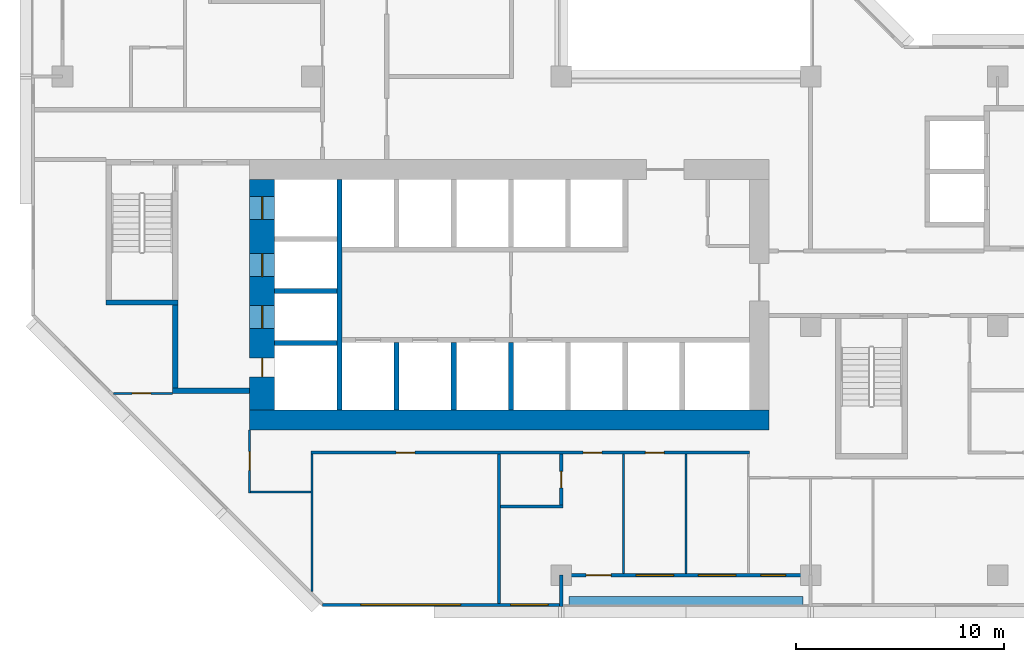
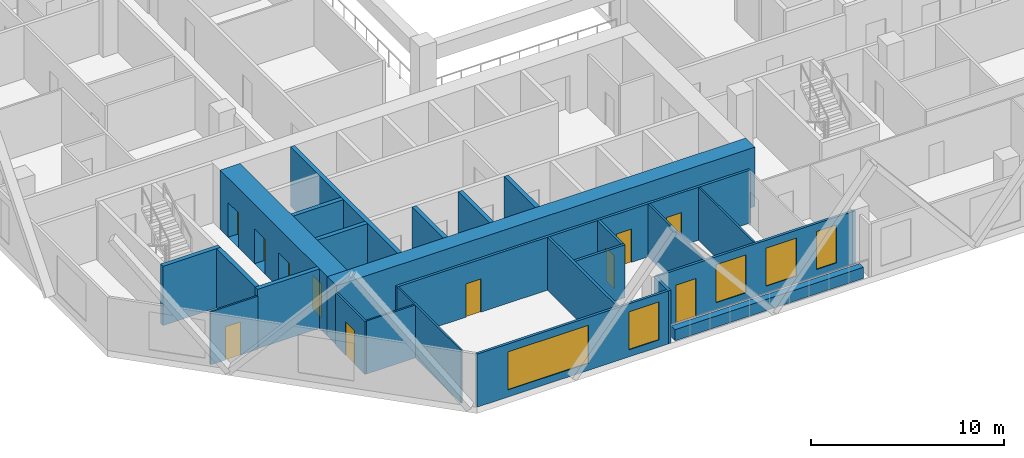
# One storey, part 4 of 15: 25 walls, 11 doors, 5 windows, 16 openings.
"""IFC4 building model written with IfcOpenShell, lengths in metres."""

from ifc_helpers import new_model, si_unit, direction, frame, frame_2d, origin, place, context, subcontext, project, spatial, rectangle, extrude, material, layer, layer_set, type_object, element, fill, save


model = new_model("IFC4")

# Units and contexts
model_context = context("Model", 3, precision=1e-05, world=origin(), true_north=direction((0.0, 1.0)))
body_context = subcontext(model_context, "Body", "Model", "MODEL_VIEW")
ifc_project = project(units=[si_unit("LENGTHUNIT", "METRE"), si_unit("AREAUNIT", "SQUARE_METRE"), si_unit("VOLUMEUNIT", "CUBIC_METRE"), si_unit("PLANEANGLEUNIT", "RADIAN"), si_unit("MASSUNIT", "GRAM", prefix="KILO")], contexts=[model_context])

# Site, building, storey
site_placement = place(None, origin())
site = spatial("IfcSite", under=ifc_project, at=site_placement, CompositionType="ELEMENT")
building_placement = place(site_placement, origin())
building = spatial("IfcBuilding", under=site, at=building_placement, Name="Chenar Terraces", CompositionType="ELEMENT")
storey_placement = place(building_placement, frame((0.0, 0.0, 121.89990234375)))
storey = spatial("IfcBuildingStorey", under=building, at=storey_placement, Name="L28", CompositionType="ELEMENT", Elevation=121.89990234375)

# Wall, openings, doors
ifc_material_1 = material(Name="Concrete C70/85", Category="concrete")
ifc_layer_1 = layer(ifc_material_1, 1.199951171875)
ifc_layer_set_1 = layer_set([ifc_layer_1], Name="Concrete C70/85")
wall_type_1 = type_object("IfcWallType", Name="Core wall 1200 Concrete C70/85", PredefinedType="SHEAR", material=ifc_layer_set_1)
wall_1_placement = place(storey_placement, frame((9.60009765625, 7.949951171875, 0.0), z_axis=(0.0, 0.0, 1.0), x_axis=(0.0, 1.0, 0.0)))
wall_1 = element("IfcWall", 1, at=wall_1_placement, inside=storey, type_object=wall_type_1, Name="Core wall W L28", PredefinedType="SHEAR", context=body_context, shape_type="SweptSolid", body=[
    extrude(rectangle(XDim=11.10009765625, YDim=1.199951171875, at=frame_2d((5.550048828125, 0.0))), origin(), (0.0, 0.0, 1.0), 3.75),
])
opening_1_placement = place(wall_1_placement, frame((3.925048828125, 0.0, 0.0)))
opening_1 = element("IfcOpeningElement", 2, at=opening_1_placement, cuts=wall_1, Name="Opening DL28-LD5", PredefinedType="OPENING", context=body_context, shape_type="SweptSolid", body=[
    extrude(rectangle(XDim=1.10009765625, YDim=2.199951171875, at=frame_2d((0.550048828125, 1.10009765625))), frame((0.0, 0.60986328125, 0.0), z_axis=(0.0, -1.0, 0.0), x_axis=(1.0, 0.0, 0.0)), (0.0, 0.0, 1.0), 1.219970703125),
])
opening_2_placement = place(wall_1_placement, frame((6.425048828125, 0.0, 0.0)))
opening_2 = element("IfcOpeningElement", 3, at=opening_2_placement, cuts=wall_1, Name="Opening DL28-LD6", PredefinedType="OPENING", context=body_context, shape_type="SweptSolid", body=[
    extrude(rectangle(XDim=1.10009765625, YDim=2.199951171875, at=frame_2d((0.550048828125, 1.10009765625))), frame((0.0, 0.60986328125, 0.0), z_axis=(0.0, -1.0, 0.0), x_axis=(1.0, 0.0, 0.0)), (0.0, 0.0, 1.0), 1.219970703125),
])
opening_3_placement = place(wall_1_placement, frame((9.175048828125, 0.0, 0.0)))
opening_3 = element("IfcOpeningElement", 4, at=opening_3_placement, cuts=wall_1, Name="Opening DL28-LD7", PredefinedType="OPENING", context=body_context, shape_type="SweptSolid", body=[
    extrude(rectangle(XDim=1.10009765625, YDim=2.199951171875, at=frame_2d((0.550048828125, 1.10009765625))), frame((0.0, 0.60986328125, 0.0), z_axis=(0.0, -1.0, 0.0), x_axis=(1.0, 0.0, 0.0)), (0.0, 0.0, 1.0), 1.219970703125),
])
opening_4_placement = place(wall_1_placement, frame((1.60009765625, 0.0, 0.0)))
opening_4 = element("IfcOpeningElement", 5, at=opening_4_placement, cuts=wall_1, Name="Opening DL28-C4", PredefinedType="OPENING", context=body_context, shape_type="SweptSolid", body=[
    extrude(rectangle(XDim=0.89990234375, YDim=2.10009765625, at=frame_2d((0.449951171875, 1.050048828125))), frame((0.0, 0.60986328125, 0.0), z_axis=(0.0, -1.0, 0.0), x_axis=(1.0, 0.0, 0.0)), (0.0, 0.0, 1.0), 1.219970703125),
])
ifc_material_2 = material(Name="Stainless steel", Category="steel")
door_type_1 = type_object("IfcDoorType", Name="Lift landing door 1100 x 2200 sliding", OperationType="DOUBLE_DOOR_SLIDING", PredefinedType="DOOR", material=ifc_material_2)
door_1_placement = place(opening_1_placement, origin())
door_1 = element("IfcDoor", 6, at=door_1_placement, inside=storey, type_object=door_type_1, Name="Landing door S1", OperationType="DOUBLE_DOOR_SLIDING", OverallHeight=2.199951171875, OverallWidth=1.10009765625, PredefinedType="DOOR", context=body_context, shape_type="SweptSolid", body=[
    extrude(rectangle(XDim=1.10009765625, YDim=2.199951171875, at=frame_2d((0.550048828125, 1.10009765625))), frame((0.0, 0.02490234375, 0.0), z_axis=(0.0, -1.0, 0.0), x_axis=(1.0, 0.0, 0.0)), (0.0, 0.0, 1.0), 0.050048828125),
])
fill(opening_1, door_1)
door_2_placement = place(opening_2_placement, origin())
door_2 = element("IfcDoor", 7, at=door_2_placement, inside=storey, type_object=door_type_1, Name="Landing door F1", OperationType="DOUBLE_DOOR_SLIDING", OverallHeight=2.199951171875, OverallWidth=1.10009765625, PredefinedType="DOOR", context=body_context, shape_type="SweptSolid", body=[
    extrude(rectangle(XDim=1.10009765625, YDim=2.199951171875, at=frame_2d((0.550048828125, 1.10009765625))), frame((0.0, 0.02490234375, 0.0), z_axis=(0.0, -1.0, 0.0), x_axis=(1.0, 0.0, 0.0)), (0.0, 0.0, 1.0), 0.050048828125),
])
fill(opening_2, door_2)
door_3_placement = place(opening_3_placement, origin())
door_3 = element("IfcDoor", 8, at=door_3_placement, inside=storey, type_object=door_type_1, Name="Landing door F2", OperationType="DOUBLE_DOOR_SLIDING", OverallHeight=2.199951171875, OverallWidth=1.10009765625, PredefinedType="DOOR", context=body_context, shape_type="SweptSolid", body=[
    extrude(rectangle(XDim=1.10009765625, YDim=2.199951171875, at=frame_2d((0.550048828125, 1.10009765625))), frame((0.0, 0.02490234375, 0.0), z_axis=(0.0, -1.0, 0.0), x_axis=(1.0, 0.0, 0.0)), (0.0, 0.0, 1.0), 0.050048828125),
])
fill(opening_3, door_3)
ifc_material_3 = material(Name="Steel-framed fire-resisting door leaf", Category="steel")
door_type_2 = type_object("IfcDoorType", Name="Riser fire door FD60 900 x 2100", OperationType="SINGLE_SWING_LEFT", PredefinedType="DOOR", material=ifc_material_3)
door_4_placement = place(opening_4_placement, frame((0.89990234375, 0.0, 0.0), z_axis=(0.0, 0.0, 1.0), x_axis=(-1.0, 0.0, 0.0)))
door_4 = element("IfcDoor", 9, at=door_4_placement, inside=storey, type_object=door_type_2, Name="Riser door DL28-C4", OperationType="SINGLE_SWING_LEFT", OverallHeight=2.10009765625, OverallWidth=0.89990234375, PredefinedType="DOOR", context=body_context, shape_type="SweptSolid", body=[
    extrude(rectangle(XDim=0.89990234375, YDim=2.10009765625, at=frame_2d((0.449951171875, 1.050048828125))), frame((0.0, 0.02490234375, 0.0), z_axis=(0.0, -1.0, 0.0), x_axis=(1.0, 0.0, 0.0)), (0.0, 0.0, 1.0), 0.050048828125),
])
fill(opening_4, door_4)

# Walls
ifc_material_4 = material(Name="Concrete C70/85", Category="concrete")
ifc_layer_2 = layer(ifc_material_4, 0.25)
ifc_layer_set_2 = layer_set([ifc_layer_2], Name="Concrete C70/85")
wall_type_2 = type_object("IfcWallType", Name="Core wall 250 Concrete C70/85", PredefinedType="SHEAR", material=ifc_layer_set_2)
wall_2_placement = place(storey_placement, frame((13.324951171875, 7.949951171875, 0.0), z_axis=(0.0, 0.0, 1.0), x_axis=(0.0, 1.0, 0.0)))
element("IfcWall", 10, at=wall_2_placement, inside=storey, type_object=wall_type_2, Name="Core wall WI L28", PredefinedType="SHEAR", context=body_context, shape_type="SweptSolid", body=[
    extrude(rectangle(XDim=11.10009765625, YDim=0.25, at=frame_2d((5.550048828125, 0.0))), origin(), (0.0, 0.0, 1.0), 3.75),
])
for number, where, z_axis, x_axis, name in (
    (11, (10.199951171875, 11.175048828125, 0.0), (0.0, 0.0, 1.0), (1.0, 0.0, 0.0), "Core wall HW0 L28"),
    (12, (10.199951171875, 13.675048828125, 0.0), (0.0, 0.0, 1.0), (1.0, 0.0, 0.0), "Core wall HW1 L28"),
):
    element("IfcWall", number, at=place(storey_placement, frame(where, z_axis=z_axis, x_axis=x_axis)), inside=storey, type_object=wall_type_2, Name=name, PredefinedType="SHEAR", context=body_context, shape_type="SweptSolid", body=[
        extrude(rectangle(XDim=3.0, YDim=0.25, at=frame_2d((1.5, 0.0))), origin(), (0.0, 0.0, 1.0), 3.75),
    ])
for number, where, z_axis, x_axis, name in (
    (13, (16.074951171875, 7.949951171875, 0.0), (0.0, 0.0, 1.0), (0.0, 1.0, 0.0), "Core wall SS0 L28"),
    (14, (18.824951171875, 7.949951171875, 0.0), (0.0, 0.0, 1.0), (0.0, 1.0, 0.0), "Core wall SS1 L28"),
    (15, (21.574951171875, 7.949951171875, 0.0), (0.0, 0.0, 1.0), (0.0, 1.0, 0.0), "Core wall SS2 L28"),
):
    element("IfcWall", number, at=place(storey_placement, frame(where, z_axis=z_axis, x_axis=x_axis)), inside=storey, type_object=wall_type_2, Name=name, PredefinedType="SHEAR", context=body_context, shape_type="SweptSolid", body=[
        extrude(rectangle(XDim=3.25, YDim=0.25, at=frame_2d((1.625, 0.0))), origin(), (0.0, 0.0, 1.0), 3.75),
    ])
wall_3_placement = place(storey_placement, frame((2.10009765625, 13.125, 0.0), z_axis=(0.0, 0.0, 1.0), x_axis=(1.0, 0.0, 0.0)))
element("IfcWall", 16, at=wall_3_placement, inside=storey, type_object=wall_type_2, Name="Core wall ST1_S L28", PredefinedType="SHEAR", context=body_context, shape_type="SweptSolid", body=[
    extrude(rectangle(XDim=3.449951171875, YDim=0.25, at=frame_2d((1.72509765625, 0.0))), origin(), (0.0, 0.0, 1.0), 3.75),
])
wall_4_placement = place(storey_placement, frame((5.300048828125, 8.875, 0.0), z_axis=(0.0, 0.0, 1.0), x_axis=(1.0, 0.0, 0.0)))
element("IfcWall", 17, at=wall_4_placement, inside=storey, type_object=wall_type_2, Name="Core wall FFL_S L28", PredefinedType="SHEAR", context=body_context, shape_type="SweptSolid", body=[
    extrude(rectangle(XDim=3.699951171875, YDim=0.25, at=frame_2d((1.85009765625, 0.0))), origin(), (0.0, 0.0, 1.0), 3.75),
])
wall_5_placement = place(storey_placement, frame((5.425048828125, 9.0, 0.0), z_axis=(0.0, 0.0, 1.0), x_axis=(0.0, 1.0, 0.0)))
element("IfcWall", 18, at=wall_5_placement, inside=storey, type_object=wall_type_2, Name="Core wall FFL_W L28", PredefinedType="SHEAR", context=body_context, shape_type="SweptSolid", body=[
    extrude(rectangle(XDim=4.0, YDim=0.25, at=frame_2d((2.0, 0.0))), origin(), (0.0, 0.0, 1.0), 3.75),
])
ifc_material_5 = material(Name="Concrete C70/85", Category="concrete")
ifc_layer_3 = layer(ifc_material_5, 0.949951171875)
ifc_layer_set_3 = layer_set([ifc_layer_3], Name="Concrete C70/85")
wall_type_3 = type_object("IfcWallType", Name="Core wall 950 Concrete C70/85", PredefinedType="SHEAR", material=ifc_layer_set_3)
wall_6_placement = place(storey_placement, frame((9.0, 7.47509765625, 0.0), z_axis=(0.0, 0.0, 1.0), x_axis=(1.0, 0.0, 0.0)))
element("IfcWall", 19, at=wall_6_placement, inside=storey, type_object=wall_type_3, Name="Core wall S L28", PredefinedType="SHEAR", context=body_context, shape_type="SweptSolid", body=[
    extrude(rectangle(XDim=25.0, YDim=0.949951171875, at=frame_2d((12.5, 0.0))), origin(), (0.0, 0.0, 1.0), 3.75),
])

# Wall, openings, windows
ifc_material_6 = material(Name="Aluminium framed glazing", Category="aluminium")
ifc_layer_4 = layer(ifc_material_6, 0.14990234375)
ifc_layer_set_4 = layer_set([ifc_layer_4], Name="Aluminium framed glazing")
wall_type_4 = type_object("IfcWallType", Name="Glazed flush facade wall 150", PredefinedType="SOLIDWALL", material=ifc_layer_set_4)
wall_7_placement = place(storey_placement, frame((12.5, -1.425048828125, 0.0), z_axis=(0.0, 0.0, 1.0), x_axis=(1.0, 0.0, 0.0)))
wall_7 = element("IfcWall", 20, at=wall_7_placement, inside=storey, type_object=wall_type_4, Name="Glazed flush facade wall", PredefinedType="SOLIDWALL", context=body_context, shape_type="SweptSolid", body=[
    extrude(rectangle(XDim=11.425048828125, YDim=0.14990234375, at=frame_2d((5.71240234375, 0.0))), origin(), (0.0, 0.0, 1.0), 3.35009765625),
])
opening_5_placement = place(wall_7_placement, frame((1.85009765625, 0.0, 0.449951171875)))
opening_5 = element("IfcOpeningElement", 21, at=opening_5_placement, cuts=wall_7, Name="Opening W480x240", PredefinedType="OPENING", context=body_context, shape_type="SweptSolid", body=[
    extrude(rectangle(XDim=4.800048828125, YDim=2.39990234375, at=frame_2d((2.39990234375, 1.199951171875))), frame((0.0, 0.0849609375, 0.0), z_axis=(0.0, -1.0, 0.0), x_axis=(1.0, 0.0, 0.0)), (0.0, 0.0, 1.0), 0.169921875),
])
opening_6_placement = place(wall_7_placement, frame((9.0625, 0.0, 0.449951171875)))
opening_6 = element("IfcOpeningElement", 22, at=opening_6_placement, cuts=wall_7, Name="Opening W180x240", PredefinedType="OPENING", context=body_context, shape_type="SweptSolid", body=[
    extrude(rectangle(XDim=1.800048828125, YDim=2.39990234375, at=frame_2d((0.89990234375, 1.199951171875))), frame((0.0, 0.0849609375, 0.0), z_axis=(0.0, -1.0, 0.0), x_axis=(1.0, 0.0, 0.0)), (0.0, 0.0, 1.0), 0.169921875),
])
ifc_material_7 = material(Name="Low emissivity double glazing, aluminium frame", Category="aluminium")
window_type_1 = type_object("IfcWindowType", Name="Fixed light 1800 x 2400", PartitioningType="SINGLE_PANEL", PredefinedType="WINDOW", material=ifc_material_7)
window_1_placement = place(opening_6_placement, origin())
window_1 = element("IfcWindow", 23, at=window_1_placement, inside=storey, type_object=window_type_1, Name="Window", OverallHeight=2.39990234375, OverallWidth=1.800048828125, PartitioningType="SINGLE_PANEL", PredefinedType="WINDOW", context=body_context, shape_type="SweptSolid", body=[
    extrude(rectangle(XDim=1.800048828125, YDim=2.39990234375, at=frame_2d((0.89990234375, 1.199951171875))), frame((0.0, 0.030029296875, 0.0), z_axis=(0.0, -1.0, 0.0), x_axis=(1.0, 0.0, 0.0)), (0.0, 0.0, 1.0), 0.06005859375),
])
fill(opening_6, window_1)
ifc_material_8 = material(Name="Low emissivity double glazing, aluminium frame", Category="aluminium")
window_type_2 = type_object("IfcWindowType", Name="Fixed light 4800 x 2400", PartitioningType="SINGLE_PANEL", PredefinedType="WINDOW", material=ifc_material_8)
window_2_placement = place(opening_5_placement, origin())
window_2 = element("IfcWindow", 24, at=window_2_placement, inside=storey, type_object=window_type_2, Name="Window", OverallHeight=2.39990234375, OverallWidth=4.800048828125, PartitioningType="SINGLE_PANEL", PredefinedType="WINDOW", context=body_context, shape_type="SweptSolid", body=[
    extrude(rectangle(XDim=4.800048828125, YDim=2.39990234375, at=frame_2d((2.39990234375, 1.199951171875))), frame((0.0, 0.030029296875, 0.0), z_axis=(0.0, -1.0, 0.0), x_axis=(1.0, 0.0, 0.0)), (0.0, 0.0, 1.0), 0.06005859375),
])
fill(opening_5, window_2)

# Wall, openings, windows, door
ifc_material_9 = material(Name="Aluminium framed glazing", Category="aluminium")
ifc_layer_5 = layer(ifc_material_9, 0.14990234375)
ifc_layer_set_5 = layer_set([ifc_layer_5], Name="Aluminium framed glazing")
wall_type_5 = type_object("IfcWallType", Name="Glazed loggia back wall 150", PredefinedType="SOLIDWALL", material=ifc_layer_set_5)
wall_8_placement = place(storey_placement, frame((24.074951171875, 0.0, 0.0), z_axis=(0.0, 0.0, 1.0), x_axis=(1.0, 0.0, 0.0)))
wall_8 = element("IfcWall", 25, at=wall_8_placement, inside=storey, type_object=wall_type_5, Name="Glazed loggia back wall", PredefinedType="SOLIDWALL", context=body_context, shape_type="SweptSolid", body=[
    extrude(rectangle(XDim=11.85009765625, YDim=0.14990234375, at=frame_2d((5.925048828125, 0.0))), origin(), (0.0, 0.0, 1.0), 3.35009765625),
])
opening_7_placement = place(wall_8_placement, frame((1.125, 0.0, 0.0)))
opening_7 = element("IfcOpeningElement", 26, at=opening_7_placement, cuts=wall_8, Name="Opening DL28-G6", PredefinedType="OPENING", context=body_context, shape_type="SweptSolid", body=[
    extrude(rectangle(XDim=1.199951171875, YDim=2.39990234375, at=frame_2d((0.60009765625, 1.199951171875))), frame((0.0, 0.0849609375, 0.0), z_axis=(0.0, -1.0, 0.0), x_axis=(1.0, 0.0, 0.0)), (0.0, 0.0, 1.0), 0.169921875),
])
opening_8_placement = place(wall_8_placement, frame((3.52490234375, 0.0, 0.449951171875)))
opening_8 = element("IfcOpeningElement", 27, at=opening_8_placement, cuts=wall_8, Name="Opening W180x240", PredefinedType="OPENING", context=body_context, shape_type="SweptSolid", body=[
    extrude(rectangle(XDim=1.800048828125, YDim=2.39990234375, at=frame_2d((0.89990234375, 1.199951171875))), frame((0.0, 0.0849609375, 0.0), z_axis=(0.0, -1.0, 0.0), x_axis=(1.0, 0.0, 0.0)), (0.0, 0.0, 1.0), 0.169921875),
])
opening_9_placement = place(wall_8_placement, frame((6.52490234375, 0.0, 0.449951171875)))
opening_9 = element("IfcOpeningElement", 28, at=opening_9_placement, cuts=wall_8, Name="Opening W180x240", PredefinedType="OPENING", context=body_context, shape_type="SweptSolid", body=[
    extrude(rectangle(XDim=1.800048828125, YDim=2.39990234375, at=frame_2d((0.89990234375, 1.199951171875))), frame((0.0, 0.0849609375, 0.0), z_axis=(0.0, -1.0, 0.0), x_axis=(1.0, 0.0, 0.0)), (0.0, 0.0, 1.0), 0.169921875),
])
opening_10_placement = place(wall_8_placement, frame((9.52490234375, 0.0, 0.449951171875)))
opening_10 = element("IfcOpeningElement", 29, at=opening_10_placement, cuts=wall_8, Name="Opening W120x240", PredefinedType="OPENING", context=body_context, shape_type="SweptSolid", body=[
    extrude(rectangle(XDim=1.199951171875, YDim=2.39990234375, at=frame_2d((0.60009765625, 1.199951171875))), frame((0.0, 0.0849609375, 0.0), z_axis=(0.0, -1.0, 0.0), x_axis=(1.0, 0.0, 0.0)), (0.0, 0.0, 1.0), 0.169921875),
])
ifc_material_10 = material(Name="Low emissivity double glazing, aluminium frame", Category="aluminium")
window_type_3 = type_object("IfcWindowType", Name="Fixed light 1200 x 2400", PartitioningType="SINGLE_PANEL", PredefinedType="WINDOW", material=ifc_material_10)
window_3_placement = place(opening_10_placement, origin())
window_3 = element("IfcWindow", 30, at=window_3_placement, inside=storey, type_object=window_type_3, Name="Window", OverallHeight=2.39990234375, OverallWidth=1.199951171875, PartitioningType="SINGLE_PANEL", PredefinedType="WINDOW", context=body_context, shape_type="SweptSolid", body=[
    extrude(rectangle(XDim=1.199951171875, YDim=2.39990234375, at=frame_2d((0.60009765625, 1.199951171875))), frame((0.0, 0.030029296875, 0.0), z_axis=(0.0, -1.0, 0.0), x_axis=(1.0, 0.0, 0.0)), (0.0, 0.0, 1.0), 0.06005859375),
])
fill(opening_10, window_3)
window_4_placement = place(opening_8_placement, origin())
window_4 = element("IfcWindow", 31, at=window_4_placement, inside=storey, type_object=window_type_1, Name="Window", OverallHeight=2.39990234375, OverallWidth=1.800048828125, PartitioningType="SINGLE_PANEL", PredefinedType="WINDOW", context=body_context, shape_type="SweptSolid", body=[
    extrude(rectangle(XDim=1.800048828125, YDim=2.39990234375, at=frame_2d((0.89990234375, 1.199951171875))), frame((0.0, 0.030029296875, 0.0), z_axis=(0.0, -1.0, 0.0), x_axis=(1.0, 0.0, 0.0)), (0.0, 0.0, 1.0), 0.06005859375),
])
fill(opening_8, window_4)
window_5_placement = place(opening_9_placement, origin())
window_5 = element("IfcWindow", 32, at=window_5_placement, inside=storey, type_object=window_type_1, Name="Window", OverallHeight=2.39990234375, OverallWidth=1.800048828125, PartitioningType="SINGLE_PANEL", PredefinedType="WINDOW", context=body_context, shape_type="SweptSolid", body=[
    extrude(rectangle(XDim=1.800048828125, YDim=2.39990234375, at=frame_2d((0.89990234375, 1.199951171875))), frame((0.0, 0.030029296875, 0.0), z_axis=(0.0, -1.0, 0.0), x_axis=(1.0, 0.0, 0.0)), (0.0, 0.0, 1.0), 0.06005859375),
])
fill(opening_9, window_5)
ifc_material_11 = material(Name="Low emissivity double glazing, aluminium frame", Category="aluminium")
door_type_3 = type_object("IfcDoorType", Name="Loggia glazed double door 1200 x 2400", OperationType="DOUBLE_DOOR_SINGLE_SWING", PredefinedType="DOOR", material=ifc_material_11)
door_5_placement = place(opening_7_placement, frame((1.199951171875, 0.0, 0.0), z_axis=(0.0, 0.0, 1.0), x_axis=(-1.0, 0.0, 0.0)))
door_5 = element("IfcDoor", 33, at=door_5_placement, inside=storey, type_object=door_type_3, Name="Loggia glazed door", OperationType="DOUBLE_DOOR_SINGLE_SWING", OverallHeight=2.39990234375, OverallWidth=1.199951171875, PredefinedType="DOOR", context=body_context, shape_type="SweptSolid", body=[
    extrude(rectangle(XDim=1.199951171875, YDim=2.39990234375, at=frame_2d((0.60009765625, 1.199951171875))), frame((0.0, 0.02490234375, 0.0), z_axis=(0.0, -1.0, 0.0), x_axis=(1.0, 0.0, 0.0)), (0.0, 0.0, 1.0), 0.050048828125),
])
fill(opening_7, door_5)

# Wall, opening, door
ifc_material_12 = material(Name="Gypsum board on steel studs", Category="steel")
ifc_layer_6 = layer(ifc_material_12, 0.10009765625)
ifc_layer_set_6 = layer_set([ifc_layer_6], Name="Gypsum board on steel studs")
wall_type_6 = type_object("IfcWallType", Name="Gypsum partition 100", PredefinedType="PARTITIONING", material=ifc_layer_set_6)
wall_9_placement = place(storey_placement, frame((2.4609375, 8.75, 0.0), z_axis=(0.0, 0.0, 1.0), x_axis=(1.0, 0.0, 0.0)))
wall_9 = element("IfcWall", 34, at=wall_9_placement, inside=storey, type_object=wall_type_6, Name="Partition L28-011", PredefinedType="PARTITIONING", context=body_context, shape_type="SweptSolid", body=[
    extrude(rectangle(XDim=2.839111328125, YDim=0.10009765625, at=frame_2d((1.41943359375, 0.0))), origin(), (0.0, 0.0, 1.0), 3.35009765625),
])
opening_11_placement = place(wall_9_placement, frame((0.888916015625, 0.0, 0.0)))
opening_11 = element("IfcOpeningElement", 35, at=opening_11_placement, cuts=wall_9, Name="Opening DL28-62", PredefinedType="OPENING", context=body_context, shape_type="SweptSolid", body=[
    extrude(rectangle(XDim=0.89990234375, YDim=2.10009765625, at=frame_2d((0.449951171875, 1.050048828125))), frame((0.0, 0.06005859375, 0.0), z_axis=(0.0, -1.0, 0.0), x_axis=(1.0, 0.0, 0.0)), (0.0, 0.0, 1.0), 0.1201171875),
])
ifc_material_13 = material(Name="Veneered timber door leaf", Category="wood")
door_type_4 = type_object("IfcDoorType", Name="Door 900 x 2100", OperationType="SINGLE_SWING_LEFT", PredefinedType="DOOR", material=ifc_material_13)
door_6_placement = place(opening_11_placement, frame((0.89990234375, 0.0, 0.0), z_axis=(0.0, 0.0, 1.0), x_axis=(-1.0, 0.0, 0.0)))
door_6 = element("IfcDoor", 36, at=door_6_placement, inside=storey, type_object=door_type_4, Name="Door DL28-62", OperationType="SINGLE_SWING_RIGHT", OverallHeight=2.10009765625, OverallWidth=0.89990234375, PredefinedType="DOOR", context=body_context, shape_type="SweptSolid", body=[
    extrude(rectangle(XDim=0.89990234375, YDim=2.10009765625, at=frame_2d((0.449951171875, 1.050048828125))), frame((0.0, 0.02490234375, 0.0), z_axis=(0.0, -1.0, 0.0), x_axis=(1.0, 0.0, 0.0)), (0.0, 0.0, 1.0), 0.050048828125),
])
fill(opening_11, door_6)

wall_10_placement = place(storey_placement, frame((9.0, 3.949951171875, 0.0), z_axis=(0.0, 0.0, 1.0), x_axis=(0.0, 1.0, 0.0)))
wall_10 = element("IfcWall", 37, at=wall_10_placement, inside=storey, type_object=wall_type_6, Name="Partition L28-032", PredefinedType="PARTITIONING", context=body_context, shape_type="SweptSolid", body=[
    extrude(rectangle(XDim=3.050048828125, YDim=0.10009765625, at=frame_2d((1.52490234375, 0.0))), origin(), (0.0, 0.0, 1.0), 3.35009765625),
])
opening_12_placement = place(wall_10_placement, frame((1.10009765625, 0.0, 0.0)))
opening_12 = element("IfcOpeningElement", 38, at=opening_12_placement, cuts=wall_10, Name="Opening DL28-61", PredefinedType="OPENING", context=body_context, shape_type="SweptSolid", body=[
    extrude(rectangle(XDim=0.89990234375, YDim=2.10009765625, at=frame_2d((0.449951171875, 1.050048828125))), frame((0.0, 0.06005859375, 0.0), z_axis=(0.0, -1.0, 0.0), x_axis=(1.0, 0.0, 0.0)), (0.0, 0.0, 1.0), 0.1201171875),
])
door_7_placement = place(opening_12_placement, origin())
door_7 = element("IfcDoor", 39, at=door_7_placement, inside=storey, type_object=door_type_4, Name="Door DL28-61", OperationType="SINGLE_SWING_LEFT", OverallHeight=2.10009765625, OverallWidth=0.89990234375, PredefinedType="DOOR", context=body_context, shape_type="SweptSolid", body=[
    extrude(rectangle(XDim=0.89990234375, YDim=2.10009765625, at=frame_2d((0.449951171875, 1.050048828125))), frame((0.0, 0.02490234375, 0.0), z_axis=(0.0, -1.0, 0.0), x_axis=(1.0, 0.0, 0.0)), (0.0, 0.0, 1.0), 0.050048828125),
])
fill(opening_12, door_7)

# Walls
wall_11_placement = place(storey_placement, frame((9.050048828125, 4.0, 0.0), z_axis=(0.0, 0.0, 1.0), x_axis=(1.0, 0.0, 0.0)))
element("IfcWall", 40, at=wall_11_placement, inside=storey, type_object=wall_type_6, Name="Partition L28-033", PredefinedType="PARTITIONING", context=body_context, shape_type="SweptSolid", body=[
    extrude(rectangle(XDim=2.89990234375, YDim=0.10009765625, at=frame_2d((1.449951171875, 0.0))), origin(), (0.0, 0.0, 1.0), 3.35009765625),
])
wall_12_placement = place(storey_placement, frame((12.0, -0.787841796875, 0.0), z_axis=(0.0, 0.0, 1.0), x_axis=(0.0, 1.0, 0.0)))
element("IfcWall", 41, at=wall_12_placement, inside=storey, type_object=wall_type_6, Name="Partition L28-035", PredefinedType="PARTITIONING", context=body_context, shape_type="SweptSolid", body=[
    extrude(rectangle(XDim=6.61279296875, YDim=0.10009765625, at=frame_2d((3.306396484375, 0.0))), origin(), (0.0, 0.0, 1.0), 3.35009765625),
])
for number, where, z_axis, x_axis, name in (
    (42, (27.0, 0.073974609375, 0.0), (0.0, 0.0, 1.0), (0.0, 1.0, 0.0), "Partition L28-059"),
    (43, (30.0, 0.073974609375, 0.0), (0.0, 0.0, 1.0), (0.0, 1.0, 0.0), "Partition L28-060"),
):
    element("IfcWall", number, at=place(storey_placement, frame(where, z_axis=z_axis, x_axis=x_axis)), inside=storey, type_object=wall_type_6, Name=name, PredefinedType="PARTITIONING", context=body_context, shape_type="SweptSolid", body=[
        extrude(rectangle(XDim=5.7509765625, YDim=0.10009765625, at=frame_2d((2.87548828125, 0.0))), origin(), (0.0, 0.0, 1.0), 3.35009765625),
    ])
ifc_material_14 = material(Name="Terracotta cladding on insulated backing", Category="masonry")
ifc_layer_7 = layer(ifc_material_14, 0.14990234375)
ifc_layer_set_7 = layer_set([ifc_layer_7], Name="Terracotta cladding on insulated backing")
wall_type_7 = type_object("IfcWallType", Name="Loggia return wall 150", PredefinedType="SOLIDWALL", material=ifc_layer_set_7)
wall_13_placement = place(storey_placement, frame((24.0, -1.5, 0.0), z_axis=(0.0, 0.0, 1.0), x_axis=(0.0, 1.0, 0.0)))
element("IfcWall", 44, at=wall_13_placement, inside=storey, type_object=wall_type_7, Name="Loggia return wall", PredefinedType="SOLIDWALL", context=body_context, shape_type="SweptSolid", body=[
    extrude(rectangle(XDim=1.5, YDim=0.14990234375, at=frame_2d((0.75, 0.0))), origin(), (0.0, 0.0, 1.0), 3.35009765625),
])
ifc_material_15 = material(Name="GRP planter trough")
ifc_layer_8 = layer(ifc_material_15, 0.39990234375)
ifc_layer_set_8 = layer_set([ifc_layer_8], Name="GRP planter trough")
wall_type_8 = type_object("IfcWallType", Name="Vertical greenery planter 400", PredefinedType="SOLIDWALL", material=ifc_layer_set_8)
wall_14_placement = place(storey_placement, frame((24.375, -1.22900390625, 0.0), z_axis=(0.0, 0.0, 1.0), x_axis=(1.0, 0.0, 0.0)))
element("IfcWall", 45, at=wall_14_placement, inside=storey, type_object=wall_type_8, Name="Vertical greenery planter", PredefinedType="SOLIDWALL", context=body_context, shape_type="SweptSolid", body=[
    extrude(rectangle(XDim=11.25, YDim=0.39990234375, at=frame_2d((5.625, 0.0))), origin(), (0.0, 0.0, 1.0), 0.7001953125),
])

# Wall, openings, doors
ifc_material_16 = material(Name="Moisture-resistant gypsum board on steel studs", Category="steel")
ifc_layer_9 = layer(ifc_material_16, 0.14990234375)
ifc_layer_set_9 = layer_set([ifc_layer_9], Name="Moisture-resistant gypsum board on steel studs")
wall_type_9 = type_object("IfcWallType", Name="Wet-room partition 150", PredefinedType="PARTITIONING", material=ifc_layer_set_9)
wall_15_placement = place(storey_placement, frame((11.949951171875, 5.89990234375, 0.0), z_axis=(0.0, 0.0, 1.0), x_axis=(1.0, 0.0, 0.0)))
wall_15 = element("IfcWall", 46, at=wall_15_placement, inside=storey, type_object=wall_type_9, Name="Partition L28-034", PredefinedType="PARTITIONING", context=body_context, shape_type="SweptSolid", body=[
    extrude(rectangle(XDim=21.10009765625, YDim=0.14990234375, at=frame_2d((10.550048828125, 0.0))), origin(), (0.0, 0.0, 1.0), 3.35009765625),
])
opening_13_placement = place(wall_15_placement, frame((16.10009765625, 0.0, 0.0)))
opening_13 = element("IfcOpeningElement", 47, at=opening_13_placement, cuts=wall_15, Name="Opening DL28-55", PredefinedType="OPENING", context=body_context, shape_type="SweptSolid", body=[
    extrude(rectangle(XDim=0.89990234375, YDim=2.10009765625, at=frame_2d((0.449951171875, 1.050048828125))), frame((0.0, 0.0849609375, 0.0), z_axis=(0.0, -1.0, 0.0), x_axis=(1.0, 0.0, 0.0)), (0.0, 0.0, 1.0), 0.169921875),
])
opening_14_placement = place(wall_15_placement, frame((13.10009765625, 0.0, 0.0)))
opening_14 = element("IfcOpeningElement", 48, at=opening_14_placement, cuts=wall_15, Name="Opening DL28-63", PredefinedType="OPENING", context=body_context, shape_type="SweptSolid", body=[
    extrude(rectangle(XDim=0.89990234375, YDim=2.10009765625, at=frame_2d((0.449951171875, 1.050048828125))), frame((0.0, 0.0849609375, 0.0), z_axis=(0.0, -1.0, 0.0), x_axis=(1.0, 0.0, 0.0)), (0.0, 0.0, 1.0), 0.169921875),
])
opening_15_placement = place(wall_15_placement, frame((4.10009765625, 0.0, 0.0)))
opening_15 = element("IfcOpeningElement", 49, at=opening_15_placement, cuts=wall_15, Name="Opening DL28-68", PredefinedType="OPENING", context=body_context, shape_type="SweptSolid", body=[
    extrude(rectangle(XDim=0.89990234375, YDim=2.10009765625, at=frame_2d((0.449951171875, 1.050048828125))), frame((0.0, 0.0849609375, 0.0), z_axis=(0.0, -1.0, 0.0), x_axis=(1.0, 0.0, 0.0)), (0.0, 0.0, 1.0), 0.169921875),
])
door_8_placement = place(opening_13_placement, frame((0.89990234375, 0.0, 0.0), z_axis=(0.0, 0.0, 1.0), x_axis=(-1.0, 0.0, 0.0)))
door_8 = element("IfcDoor", 50, at=door_8_placement, inside=storey, type_object=door_type_4, Name="Door DL28-55", OperationType="SINGLE_SWING_RIGHT", OverallHeight=2.10009765625, OverallWidth=0.89990234375, PredefinedType="DOOR", context=body_context, shape_type="SweptSolid", body=[
    extrude(rectangle(XDim=0.89990234375, YDim=2.10009765625, at=frame_2d((0.449951171875, 1.050048828125))), frame((0.0, 0.02490234375, 0.0), z_axis=(0.0, -1.0, 0.0), x_axis=(1.0, 0.0, 0.0)), (0.0, 0.0, 1.0), 0.050048828125),
])
fill(opening_13, door_8)
door_9_placement = place(opening_14_placement, frame((0.89990234375, 0.0, 0.0), z_axis=(0.0, 0.0, 1.0), x_axis=(-1.0, 0.0, 0.0)))
door_9 = element("IfcDoor", 51, at=door_9_placement, inside=storey, type_object=door_type_4, Name="Door DL28-63", OperationType="SINGLE_SWING_RIGHT", OverallHeight=2.10009765625, OverallWidth=0.89990234375, PredefinedType="DOOR", context=body_context, shape_type="SweptSolid", body=[
    extrude(rectangle(XDim=0.89990234375, YDim=2.10009765625, at=frame_2d((0.449951171875, 1.050048828125))), frame((0.0, 0.02490234375, 0.0), z_axis=(0.0, -1.0, 0.0), x_axis=(1.0, 0.0, 0.0)), (0.0, 0.0, 1.0), 0.050048828125),
])
fill(opening_14, door_9)
door_10_placement = place(opening_15_placement, frame((0.89990234375, 0.0, 0.0), z_axis=(0.0, 0.0, 1.0), x_axis=(-1.0, 0.0, 0.0)))
door_10 = element("IfcDoor", 52, at=door_10_placement, inside=storey, type_object=door_type_4, Name="Door DL28-68", OperationType="SINGLE_SWING_RIGHT", OverallHeight=2.10009765625, OverallWidth=0.89990234375, PredefinedType="DOOR", context=body_context, shape_type="SweptSolid", body=[
    extrude(rectangle(XDim=0.89990234375, YDim=2.10009765625, at=frame_2d((0.449951171875, 1.050048828125))), frame((0.0, 0.02490234375, 0.0), z_axis=(0.0, -1.0, 0.0), x_axis=(1.0, 0.0, 0.0)), (0.0, 0.0, 1.0), 0.050048828125),
])
fill(opening_15, door_10)

# Walls
wall_16_placement = place(storey_placement, frame((21.0, -1.35009765625, 0.0), z_axis=(0.0, 0.0, 1.0), x_axis=(0.0, 1.0, 0.0)))
element("IfcWall", 53, at=wall_16_placement, inside=storey, type_object=wall_type_9, Name="Partition L28-055", PredefinedType="PARTITIONING", context=body_context, shape_type="SweptSolid", body=[
    extrude(rectangle(XDim=7.175048828125, YDim=0.14990234375, at=frame_2d((3.58740234375, 0.0))), origin(), (0.0, 0.0, 1.0), 3.35009765625),
])
wall_17_placement = place(storey_placement, frame((21.074951171875, 3.300048828125, 0.0), z_axis=(0.0, 0.0, 1.0), x_axis=(1.0, 0.0, 0.0)))
element("IfcWall", 54, at=wall_17_placement, inside=storey, type_object=wall_type_9, Name="Partition L28-056", PredefinedType="PARTITIONING", context=body_context, shape_type="SweptSolid", body=[
    extrude(rectangle(XDim=3.0, YDim=0.14990234375, at=frame_2d((1.5, 0.0))), origin(), (0.0, 0.0, 1.0), 3.35009765625),
])

# Wall, opening, door
wall_18_placement = place(storey_placement, frame((24.0, 3.375, 0.0), z_axis=(0.0, 0.0, 1.0), x_axis=(0.0, 1.0, 0.0)))
wall_18 = element("IfcWall", 55, at=wall_18_placement, inside=storey, type_object=wall_type_9, Name="Partition L28-058", PredefinedType="PARTITIONING", context=body_context, shape_type="SweptSolid", body=[
    extrude(rectangle(XDim=2.449951171875, YDim=0.14990234375, at=frame_2d((1.22509765625, 0.0))), origin(), (0.0, 0.0, 1.0), 3.35009765625),
])
opening_16_placement = place(wall_18_placement, frame((0.824951171875, 0.0, 0.0)))
opening_16 = element("IfcOpeningElement", 56, at=opening_16_placement, cuts=wall_18, Name="Opening DL28-64", PredefinedType="OPENING", context=body_context, shape_type="SweptSolid", body=[
    extrude(rectangle(XDim=0.800048828125, YDim=2.10009765625, at=frame_2d((0.39990234375, 1.050048828125))), frame((0.0, 0.0849609375, 0.0), z_axis=(0.0, -1.0, 0.0), x_axis=(1.0, 0.0, 0.0)), (0.0, 0.0, 1.0), 0.169921875),
])
ifc_material_17 = material(Name="Veneered timber door leaf", Category="wood")
door_type_5 = type_object("IfcDoorType", Name="Door 800 x 2100", OperationType="SINGLE_SWING_LEFT", PredefinedType="DOOR", material=ifc_material_17)
door_11_placement = place(opening_16_placement, origin())
door_11 = element("IfcDoor", 57, at=door_11_placement, inside=storey, type_object=door_type_5, Name="Door DL28-64", OperationType="SINGLE_SWING_RIGHT", OverallHeight=2.10009765625, OverallWidth=0.800048828125, PredefinedType="DOOR", context=body_context, shape_type="SweptSolid", body=[
    extrude(rectangle(XDim=0.800048828125, YDim=2.10009765625, at=frame_2d((0.39990234375, 1.050048828125))), frame((0.0, 0.02490234375, 0.0), z_axis=(0.0, -1.0, 0.0), x_axis=(1.0, 0.0, 0.0)), (0.0, 0.0, 1.0), 0.050048828125),
])
fill(opening_16, door_11)

save(model, "model.ifc")
